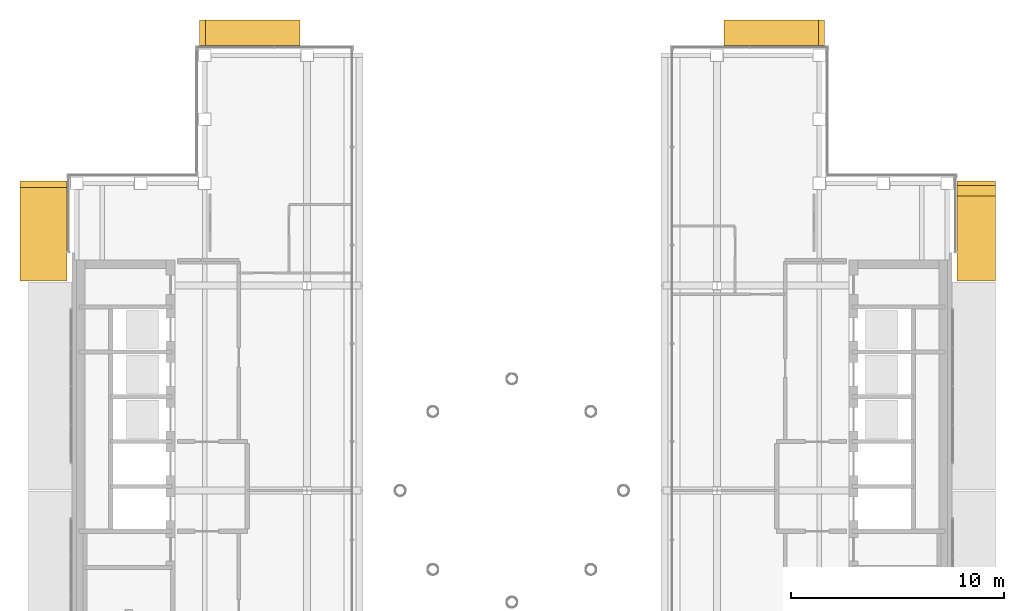
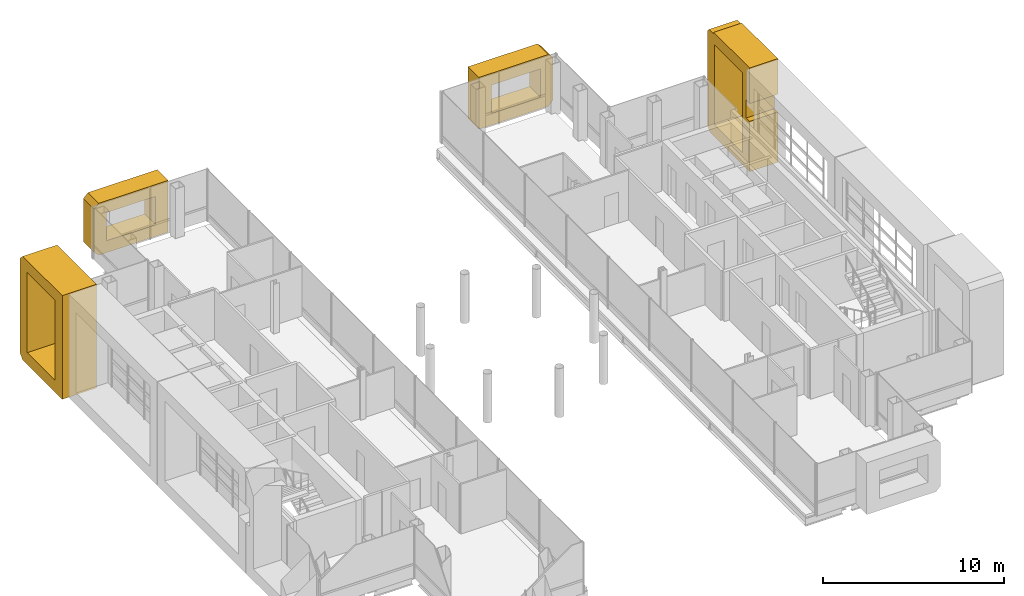
# One storey, part 20 of 21: 4 coverings.
"""IFC4 building model written with IfcOpenShell, lengths in metres."""

import ifcopenshell
import ifcopenshell.guid

model = None  # the IFC model being written
_history = None  # IfcOwnerHistory: only IFC2X3 demands one
_inside = {}  # id of a spatial element -> (the spatial element, [elements in it])
_under = {}  # id of a project, library or spatial element -> (it, [spatial elements below it])
_declared = {}  # id of a project -> (the project, [libraries it declares])
_typed = {}  # id of a type object -> (the type object, [elements of that type])
_made_of = {}  # id of a material, layer set ... -> (it, [elements and type objects made of it])


def new_model(schema):
    """Start an empty IFC model of exactly this schema.

    Asked for "IFC4X3", IfcOpenShell would pick the latest addendum, in which some entities
    have other attributes; the version numbers below select the first issue.
    IFC2X3 requires an IfcOwnerHistory on every rooted entity: one is made here for all.
    """
    global model, _history
    if schema == "IFC4X3":
        model = ifcopenshell.file(schema_version=(4, 3, 0, 0))
    else:
        model = ifcopenshell.file(schema=schema)
    _inside.clear()
    _under.clear()
    _declared.clear()
    _typed.clear()
    _made_of.clear()
    _history = None
    if model.schema == "IFC2X3":
        org = make("IfcOrganization", Name="unknown")
        user = make(
            "IfcPersonAndOrganization",
            ThePerson=make("IfcPerson", FamilyName="unknown"),
            TheOrganization=org,
        )
        app = make(
            "IfcApplication",
            ApplicationDeveloper=org,
            Version="unknown",
            ApplicationFullName="unknown",
            ApplicationIdentifier="unknown",
        )
        _history = make(
            "IfcOwnerHistory",
            OwningUser=user,
            OwningApplication=app,
            ChangeAction="ADDED",
            CreationDate=0,
        )
    return model


def make(cls, **values):
    """One entity of the class cls with the attributes given. An attribute that is None is left unset."""
    return model.create_entity(
        cls, **{name: value for name, value in values.items() if value is not None}
    )


def rooted(cls, **values):
    """An entity with a GlobalId (a new one), such as an element, a storey or a relation."""
    return make(cls, GlobalId=ifcopenshell.guid.new(), OwnerHistory=_history, **values)


def si_unit(unit_type, name, prefix=None):
    """IfcSIUnit, for example si_unit("LENGTHUNIT", "METRE", prefix="MILLI")."""
    return make("IfcSIUnit", UnitType=unit_type, Prefix=prefix, Name=name)


def assignment(units):
    """IfcUnitAssignment: the units of a project."""
    return None if units is None else make("IfcUnitAssignment", Units=units)


def point(xyz):
    """IfcCartesianPoint."""
    return None if xyz is None else make("IfcCartesianPoint", Coordinates=xyz)


def direction(xyz):
    """IfcDirection."""
    return None if xyz is None else make("IfcDirection", DirectionRatios=xyz)


def frame(location, z_axis=None, x_axis=None):
    """IfcAxis2Placement3D, a coordinate frame: its origin and axes. An axis left out is left unset."""
    return make(
        "IfcAxis2Placement3D",
        Location=point(location),
        Axis=direction(z_axis),
        RefDirection=direction(x_axis),
    )


def origin():
    """The frame at (0, 0, 0) with its axes left unset."""
    return frame((0.0, 0.0, 0.0))


def place(relative_to, where):
    """IfcLocalPlacement: puts the frame where relative to a parent placement (None: the world)."""
    return make(
        "IfcLocalPlacement", PlacementRelTo=relative_to, RelativePlacement=where
    )


def context(
    kind, dimensions, precision=None, world=None, true_north=None, identifier=None
):
    """IfcGeometricRepresentationContext, for example the 3D "Model" context."""
    return make(
        "IfcGeometricRepresentationContext",
        ContextIdentifier=identifier,
        ContextType=kind,
        CoordinateSpaceDimension=dimensions,
        Precision=precision,
        WorldCoordinateSystem=world,
        TrueNorth=true_north,
    )


def subcontext(parent, identifier, kind, view, scale=None):
    """IfcGeometricRepresentationSubContext, for example "Body" below "Model"."""
    return make(
        "IfcGeometricRepresentationSubContext",
        ContextIdentifier=identifier,
        ContextType=kind,
        ParentContext=parent,
        TargetScale=scale,
        TargetView=view,
    )


def project(units=None, contexts=None):
    """IfcProject with its units and contexts."""
    return rooted(
        "IfcProject",
        Name="project",
        RepresentationContexts=contexts,
        UnitsInContext=assignment(units),
    )


def spatial(cls, under=None, at=None, **own):
    """A site, building, storey or space (cls), placed at a placement, below another one or the project."""
    s = rooted(cls, ObjectPlacement=at, **own)
    if under is not None:
        _under.setdefault(under.id(), (under, []))[1].append(s)
    return s


def polyline(points):
    """IfcPolyline through the points."""
    return make("IfcPolyline", Points=[point(p) for p in points])


def outline(outer, holes=None, kind="AREA"):
    """IfcArbitraryClosedProfileDef: a profile drawn as a closed curve; with holes, ...WithVoids."""
    if holes is None:
        return make("IfcArbitraryClosedProfileDef", ProfileType=kind, OuterCurve=outer)
    return make(
        "IfcArbitraryProfileDefWithVoids",
        ProfileType=kind,
        OuterCurve=outer,
        InnerCurves=holes,
    )


def extrude(swept, where, along, depth):
    """IfcExtrudedAreaSolid: the profile swept, set in the frame where, extruded along a direction by depth."""
    return make(
        "IfcExtrudedAreaSolid",
        SweptArea=swept,
        Position=where,
        ExtrudedDirection=direction(along),
        Depth=depth,
    )


def shape(context_of_items, identifier, shape_type, items):
    """IfcShapeRepresentation: the items that make up one representation, for example the "Body"."""
    return make(
        "IfcShapeRepresentation",
        ContextOfItems=context_of_items,
        RepresentationIdentifier=identifier,
        RepresentationType=shape_type,
        Items=items,
    )


def material(Name=None, Category=None):
    """IfcMaterial."""
    return make("IfcMaterial", Name=Name, Category=Category)


def made_of(thing, what):
    """Note that an element or type object is made of a material, layer set ...; save() writes the relation."""
    if what is not None:
        _made_of.setdefault(what.id(), (what, []))[1].append(thing)
    return thing


def type_object(cls, material=None, **own):
    """A type object (cls), such as IfcWallType, which elements share."""
    return made_of(rooted(cls, **own), material)


def element(
    cls,
    number,
    at=None,
    inside=None,
    cuts=None,
    type_object=None,
    material=None,
    context=None,
    identifier="Body",
    shape_type=None,
    held_by="IfcProductDefinitionShape",
    body=None,
    shapes=None,
    **own,
):
    """One element of the class cls, such as IfcWall. Its Tag is "e" and its number.

    at: its placement. inside: the storey or other place that contains it. cuts: it is an
    opening in that element (IfcRelVoidsElement). A single representation is given by context,
    identifier, shape_type and body (its items); several are given by shapes. held_by: the class
    of the entity that holds the representations. save() writes the other relations.
    """
    e = rooted(cls, Tag="e%d" % number, ObjectPlacement=at, **own)
    if body is not None:
        shapes = [shape(context, identifier, shape_type, body)]
    if shapes is not None:
        e.Representation = make(held_by, Representations=shapes)
    if inside is not None:
        _inside.setdefault(inside.id(), (inside, []))[1].append(e)
    if cuts is not None:
        rooted(
            "IfcRelVoidsElement", RelatingBuildingElement=cuts, RelatedOpeningElement=e
        )
    if type_object is not None:
        _typed.setdefault(type_object.id(), (type_object, []))[1].append(e)
    return made_of(e, material)


def aggregate(whole, parts):
    """IfcRelAggregates: a whole, such as a stair, and the parts it consists of."""
    return rooted("IfcRelAggregates", RelatingObject=whole, RelatedObjects=parts)


def save(model, path):
    """Write the relations noted so far, then the file.

    IfcRelAggregates (storeys below a building ...), IfcRelContainedInSpatialStructure (elements
    in a storey), IfcRelDefinesByType, IfcRelAssociatesMaterial and IfcRelDeclares: one each for
    every whole, place, type object, material and project.
    """
    for whole, parts in _under.values():
        aggregate(whole, parts)
    for where, things in _inside.values():
        rooted(
            "IfcRelContainedInSpatialStructure",
            RelatedElements=things,
            RelatingStructure=where,
        )
    for kind, things in _typed.values():
        rooted("IfcRelDefinesByType", RelatedObjects=things, RelatingType=kind)
    for what, things in _made_of.values():
        rooted("IfcRelAssociatesMaterial", RelatedObjects=things, RelatingMaterial=what)
    for by, libraries in _declared.values():
        rooted("IfcRelDeclares", RelatingContext=by, RelatedDefinitions=libraries)
    model.write(path)


model = new_model("IFC4")

# Units and contexts
model_context = context("Model", 3, precision=1e-05, world=origin(), true_north=direction((0.0, 1.0)))
body_context = subcontext(model_context, "Body", "Model", "MODEL_VIEW")
ifc_project = project(units=[si_unit("LENGTHUNIT", "METRE"), si_unit("AREAUNIT", "SQUARE_METRE"), si_unit("VOLUMEUNIT", "CUBIC_METRE"), si_unit("PLANEANGLEUNIT", "RADIAN"), si_unit("MASSUNIT", "GRAM", prefix="KILO")], contexts=[model_context])

# Site, building, storey
site_placement = place(None, origin())
site = spatial("IfcSite", under=ifc_project, at=site_placement, CompositionType="ELEMENT")
building_placement = place(site_placement, origin())
building = spatial("IfcBuilding", under=site, at=building_placement, Name="Cobrizo Arcos Hotel Tower", CompositionType="ELEMENT")
storey_placement = place(building_placement, frame((0.0, 0.0, 269.0)))
storey = spatial("IfcBuildingStorey", under=building, at=storey_placement, Name="L71", CompositionType="ELEMENT", Elevation=269.0)

# Coverings
ifc_material = material(Name="Aluminium 6063-T6 anodised bronze", Category="aluminium")
covering_type_1 = type_object("IfcCoveringType", Name="FIN-F 1200", PredefinedType="CLADDING", material=ifc_material)
covering_1_placement = place(storey_placement, frame((14.64990234375, 20.85009765625, 0.0), z_axis=(0.0, 1.0, 0.0), x_axis=(-1.0, 0.0, 0.0)))
element("IfcCovering", 1, at=covering_1_placement, inside=storey, type_object=covering_type_1, Name="Fin frame 377", PredefinedType="CLADDING", context=body_context, shape_type="SweptSolid", body=[
    extrude(outline(polyline([(0.0, 0.300048828125), (0.300048828125, 0.0), (4.72509765625, 0.0), (4.72509765625, 3.5), (0.300048828125, 3.5), (0.0, 3.199951171875), (0.0, 0.300048828125)]), holes=[polyline([(3.925048828125, 0.800048828125), (0.800048828125, 0.800048828125), (0.800048828125, 2.699951171875), (3.925048828125, 2.699951171875), (3.925048828125, 0.800048828125)])]), origin(), (0.0, 0.0, 1.0), 1.199951171875),
])
covering_2_placement = place(storey_placement, frame((-9.925048828125, 20.85009765625, 0.0), z_axis=(0.0, 1.0, 0.0), x_axis=(-1.0, 0.0, 0.0)))
element("IfcCovering", 2, at=covering_2_placement, inside=storey, type_object=covering_type_1, Name="Fin frame 378", PredefinedType="CLADDING", context=body_context, shape_type="SweptSolid", body=[
    extrude(outline(polyline([(0.0, 3.5), (0.0, 0.0), (4.425048828125, 0.0), (4.72509765625, 0.300048828125), (4.72509765625, 3.199951171875), (4.425048828125, 3.5), (0.0, 3.5)]), holes=[polyline([(3.925048828125, 0.800048828125), (0.800048828125, 0.800048828125), (0.800048828125, 2.699951171875), (3.925048828125, 2.699951171875), (3.925048828125, 0.800048828125)])]), origin(), (0.0, 0.0, 1.0), 1.199951171875),
])
covering_type_2 = type_object("IfcCoveringType", Name="FIN-F 1800", PredefinedType="CLADDING", material=ifc_material)
covering_3_placement = place(storey_placement, frame((20.85009765625, 9.824951171875, 0.0), z_axis=(1.0, 0.0, 0.0), x_axis=(0.0, 1.0, 0.0)))
element("IfcCovering", 3, at=covering_3_placement, inside=storey, type_object=covering_type_2, Name="Fin frame 398", PredefinedType="CLADDING", context=body_context, shape_type="SweptSolid", body=[
    extrude(outline(polyline([(4.675048828125, 6.699951171875), (4.47705078125, 6.89794921875), (3.972900390625, 6.89794921875), (3.972900390625, 7.0), (0.0, 7.0), (0.0, 4.60205078125), (0.376953125, 4.60205078125), (0.376953125, 3.39794921875), (0.0, 3.39794921875), (0.0, 0.0), (4.375, 0.0), (4.675048828125, 0.300048828125), (4.675048828125, 6.699951171875)]), holes=[polyline([(3.875, 0.800048828125), (0.800048828125, 0.800048828125), (0.800048828125, 6.199951171875), (3.875, 6.199951171875), (3.875, 0.800048828125)])]), origin(), (0.0, 0.0, 1.0), 1.7998046875),
])
covering_type_3 = type_object("IfcCoveringType", Name="FIN-F 2200", PredefinedType="CLADDING", material=ifc_material)
covering_4_placement = place(storey_placement, frame((-20.85009765625, 14.5, 0.0), z_axis=(-1.0, 0.0, 0.0), x_axis=(0.0, -1.0, 0.0)))
element("IfcCovering", 4, at=covering_4_placement, inside=storey, type_object=covering_type_3, Name="Fin frame 439", PredefinedType="CLADDING", context=body_context, shape_type="SweptSolid", body=[
    extrude(outline(polyline([(0.0, 0.300048828125), (0.300048828125, 0.0), (4.675048828125, 0.0), (4.675048828125, 7.0), (0.300048828125, 7.0), (0.0, 6.699951171875), (0.0, 0.300048828125)]), holes=[polyline([(3.875, 0.800048828125), (0.800048828125, 0.800048828125), (0.800048828125, 6.199951171875), (3.875, 6.199951171875), (3.875, 0.800048828125)])]), origin(), (0.0, 0.0, 1.0), 2.199951171875),
])

save(model, "model.ifc")
